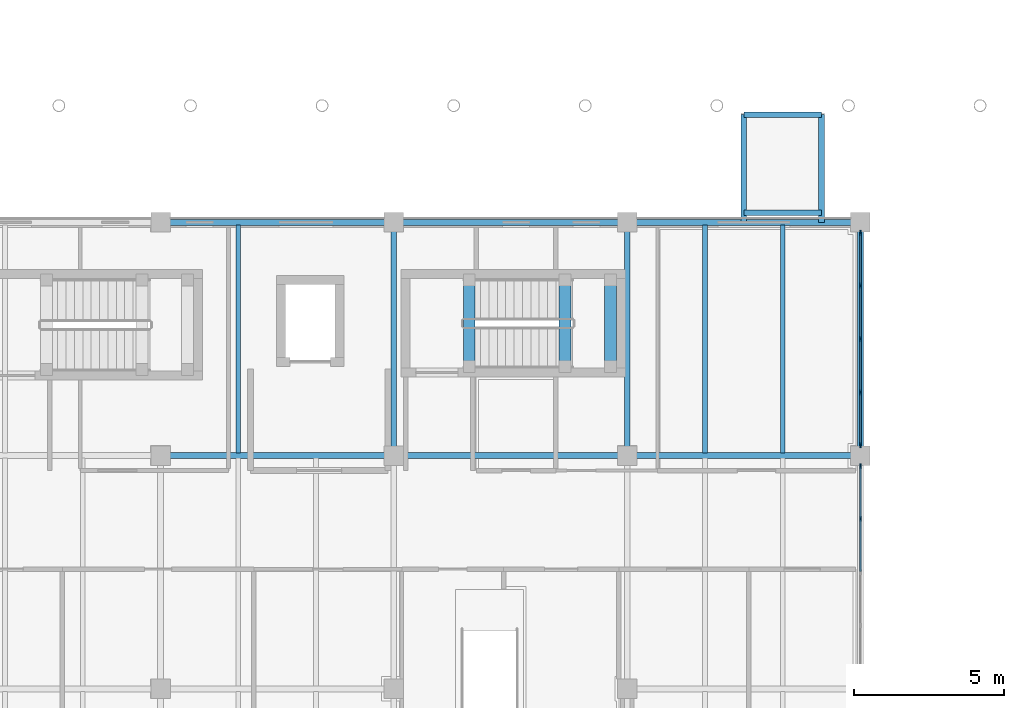
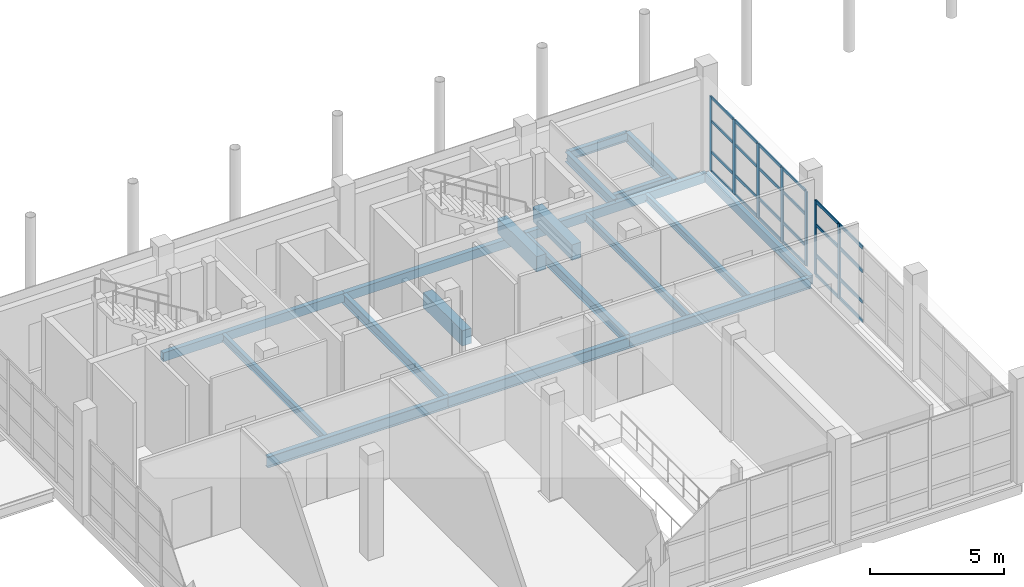
# One storey, part 41 of 138: 31 members, 19 beams, 2 elements without a shape of their own.
"""IFC4 building model written with IfcOpenShell, lengths in metres."""

from ifc_helpers import new_model, si_unit, direction, frame, origin, origin_2d, place, context, subcontext, project, spatial, rectangle, hollow_rectangle, i_section, extrude, material, layer, layer_set, material_profile, profile_set, type_object, element, aggregate, save


model = new_model("IFC4")

# Units and contexts
model_context = context("Model", 3, precision=1e-05, world=origin(), true_north=direction((0.0, 1.0)))
body_context = subcontext(model_context, "Body", "Model", "MODEL_VIEW")
ifc_project = project(units=[si_unit("LENGTHUNIT", "METRE"), si_unit("AREAUNIT", "SQUARE_METRE"), si_unit("VOLUMEUNIT", "CUBIC_METRE"), si_unit("PLANEANGLEUNIT", "RADIAN"), si_unit("MASSUNIT", "GRAM", prefix="KILO")], contexts=[model_context])

# Site, building, storey
site_placement = place(None, origin())
site = spatial("IfcSite", under=ifc_project, at=site_placement, CompositionType="ELEMENT")
building_placement = place(site_placement, origin())
building = spatial("IfcBuilding", under=site, at=building_placement, Name="Celorna Specialist Clinic", CompositionType="ELEMENT")
storey_placement = place(building_placement, frame((0.0, 0.0, 4.800048828125)))
storey = spatial("IfcBuildingStorey", under=building, at=storey_placement, Name="L01", CompositionType="ELEMENT", Elevation=4.800048828125)

# Beams
ifc_material_1 = material(Name="Steel S355", Category="steel")
ifc_material_profile_1 = material_profile(ifc_material_1, i_section(OverallWidth=0.199951171875, OverallDepth=0.5, WebThickness=0.01025390625, FlangeThickness=0.01611328125, at=origin_2d()), Name="IPE 500")
ifc_profile_set_1 = profile_set([ifc_material_profile_1], Name="Steel S355")
beam_type_1 = type_object("IfcBeamType", Name="BM-08", PredefinedType="BEAM", material=ifc_profile_set_1)
for number, where, z_axis, x_axis, name in (
    (1, (62.39990234375, 35.10009765625, -0.510009765625), (1.0, 0.0, 0.0), (0.0, 1.0, 0.0), "Primary girder BM-08 #2072"),
    (2, (70.199951171875, 35.10009765625, -0.510009765625), (1.0, 0.0, 0.0), (0.0, 1.0, 0.0), "Primary girder BM-08 #2073"),
    (3, (78.0, 35.10009765625, -0.510009765625), (1.0, 0.0, 0.0), (0.0, 1.0, 0.0), "Primary girder BM-08 #2074"),
):
    element("IfcBeam", number, at=place(storey_placement, frame(where, z_axis=z_axis, x_axis=x_axis)), inside=storey, type_object=beam_type_1, Name=name, PredefinedType="BEAM", context=body_context, shape_type="SweptSolid", body=[
        extrude(i_section(OverallWidth=0.199951171875, OverallDepth=0.5, WebThickness=0.01025390625, FlangeThickness=0.01611328125, at=origin_2d()), origin(), (0.0, 0.0, 1.0), 7.800048828125),
    ])
ifc_material_profile_2 = material_profile(ifc_material_1, i_section(OverallWidth=0.18994140625, OverallDepth=0.449951171875, WebThickness=0.009521484375, FlangeThickness=0.0146484375, at=origin_2d()), Name="IPE 450")
ifc_profile_set_2 = profile_set([ifc_material_profile_2], Name="Steel S355")
beam_type_2 = type_object("IfcBeamType", Name="BM-09", PredefinedType="BEAM", material=ifc_profile_set_2)
for number, where, z_axis, x_axis, name in (
    (4, (81.89990234375, 42.89990234375, -0.364990234375), (0.0, 1.0, 0.0), (-1.0, 0.0, 0.0), "Bridge BR-03 edge girder BM-09 #88"),
    (5, (84.5, 42.89990234375, -0.364990234375), (0.0, 1.0, 0.0), (-1.0, 0.0, 0.0), "Bridge BR-03 edge girder BM-09 #89"),
):
    element("IfcBeam", number, at=place(storey_placement, frame(where, z_axis=z_axis, x_axis=x_axis)), inside=storey, type_object=beam_type_2, Name=name, PredefinedType="BEAM", context=body_context, shape_type="SweptSolid", body=[
        extrude(i_section(OverallWidth=0.18994140625, OverallDepth=0.449951171875, WebThickness=0.009521484375, FlangeThickness=0.0146484375, at=origin_2d()), origin(), (0.0, 0.0, 1.0), 3.60009765625),
    ])
for number, where, z_axis, x_axis, name in (
    (6, (70.199951171875, 35.10009765625, -0.485107421875), (0.0, 1.0, 0.0), (-1.0, 0.0, 0.0), "Transverse girder BM-09 #2086"),
    (7, (78.0, 35.10009765625, -0.485107421875), (0.0, 1.0, 0.0), (-1.0, 0.0, 0.0), "Transverse girder BM-09 #2089"),
):
    element("IfcBeam", number, at=place(storey_placement, frame(where, z_axis=z_axis, x_axis=x_axis)), inside=storey, type_object=beam_type_2, Name=name, PredefinedType="BEAM", context=body_context, shape_type="SweptSolid", body=[
        extrude(i_section(OverallWidth=0.18994140625, OverallDepth=0.449951171875, WebThickness=0.009521484375, FlangeThickness=0.0146484375, at=origin_2d()), origin(), (0.0, 0.0, 1.0), 7.7998046875),
    ])
ifc_material_profile_3 = material_profile(ifc_material_1, i_section(OverallWidth=0.179931640625, OverallDepth=0.39990234375, WebThickness=0.008544921875, FlangeThickness=0.013427734375, at=origin_2d()), Name="IPE 400")
ifc_profile_set_3 = profile_set([ifc_material_profile_3], Name="Steel S355")
beam_type_3 = type_object("IfcBeamType", Name="BM-10", PredefinedType="BEAM", material=ifc_profile_set_3)
for number, where, z_axis, x_axis, name in (
    (8, (81.89990234375, 43.219970703125, -0.340087890625), (1.0, 0.0, 0.0), (0.0, 1.0, 0.0), "Bridge BR-03 transverse beam BM-10 #90"),
    (9, (81.89990234375, 46.5, -0.340087890625), (1.0, 0.0, 0.0), (0.0, 1.0, 0.0), "Bridge BR-03 roof end beam BM-10 #91"),
):
    element("IfcBeam", number, at=place(storey_placement, frame(where, z_axis=z_axis, x_axis=x_axis)), inside=storey, type_object=beam_type_3, Name=name, PredefinedType="BEAM", context=body_context, shape_type="SweptSolid", body=[
        extrude(i_section(OverallWidth=0.179931640625, OverallDepth=0.39990234375, WebThickness=0.008544921875, FlangeThickness=0.013427734375, at=origin_2d()), origin(), (0.0, 0.0, 1.0), 2.60009765625),
    ])
ifc_material_profile_4 = material_profile(ifc_material_1, i_section(OverallWidth=0.159912109375, OverallDepth=0.330078125, WebThickness=0.007568359375, FlangeThickness=0.011474609375, at=origin_2d()), Name="IPE 330")
ifc_profile_set_4 = profile_set([ifc_material_profile_4], Name="Steel S355")
beam_type_4 = type_object("IfcBeamType", Name="BM-12", PredefinedType="JOIST", material=ifc_profile_set_4)
for number, where, z_axis, x_axis, name in (
    (10, (65.0, 35.18798828125, -0.425048828125), (0.0, 1.0, 0.0), (-1.0, 0.0, 0.0), "Secondary floor joist BM-12 #2102"),
    (11, (80.60009765625, 35.18798828125, -0.425048828125), (0.0, 1.0, 0.0), (-1.0, 0.0, 0.0), "Secondary floor joist BM-12 #2107"),
    (12, (83.199951171875, 35.18798828125, -0.425048828125), (0.0, 1.0, 0.0), (-1.0, 0.0, 0.0), "Secondary floor joist BM-12 #2108"),
):
    element("IfcBeam", number, at=place(storey_placement, frame(where, z_axis=z_axis, x_axis=x_axis)), inside=storey, type_object=beam_type_4, Name=name, PredefinedType="JOIST", context=body_context, shape_type="SweptSolid", body=[
        extrude(i_section(OverallWidth=0.159912109375, OverallDepth=0.330078125, WebThickness=0.007568359375, FlangeThickness=0.011474609375, at=origin_2d()), origin(), (0.0, 0.0, 1.0), 7.6240234375),
    ])
ifc_material_profile_5 = material_profile(ifc_material_1, hollow_rectangle(XDim=0.199951171875, YDim=0.39990234375, WallThickness=0.011962890625, at=origin_2d()), Name="RHS 200x400x12")
ifc_profile_set_5 = profile_set([ifc_material_profile_5], Name="Steel S355")
beam_type_5 = type_object("IfcBeamType", Name="BM-15", PredefinedType="SPANDREL", material=ifc_profile_set_5)
for number, where, z_axis, x_axis, name in (
    (13, (62.39990234375, 42.89990234375, -0.4599609375), (1.0, 0.0, 0.0), (0.0, 1.0, 0.0), "Spandrel beam BM-15 #2076"),
    (14, (70.199951171875, 42.89990234375, -0.4599609375), (1.0, 0.0, 0.0), (0.0, 1.0, 0.0), "Spandrel beam BM-15 #2077"),
    (15, (78.0, 42.89990234375, -0.4599609375), (1.0, 0.0, 0.0), (0.0, 1.0, 0.0), "Spandrel beam BM-15 #2078"),
):
    element("IfcBeam", number, at=place(storey_placement, frame(where, z_axis=z_axis, x_axis=x_axis)), inside=storey, type_object=beam_type_5, Name=name, PredefinedType="SPANDREL", context=body_context, shape_type="SweptSolid", body=[
        extrude(hollow_rectangle(XDim=0.199951171875, YDim=0.39990234375, WallThickness=0.011962890625, at=origin_2d()), origin(), (0.0, 0.0, 1.0), 7.800048828125),
    ])
beam_placement = place(storey_placement, frame((85.800048828125, 35.10009765625, -0.4599609375), z_axis=(0.0, 1.0, 0.0), x_axis=(-1.0, 0.0, 0.0)))
element("IfcBeam", 16, at=beam_placement, inside=storey, type_object=beam_type_5, Name="Spandrel beam BM-15 #2092", PredefinedType="SPANDREL", context=body_context, shape_type="SweptSolid", body=[
    extrude(hollow_rectangle(XDim=0.199951171875, YDim=0.39990234375, WallThickness=0.011962890625, at=origin_2d()), origin(), (0.0, 0.0, 1.0), 7.7998046875),
])
ifc_material_2 = material(Name="Concrete C35/45", Category="concrete")
ifc_material_profile_6 = material_profile(ifc_material_2, rectangle(XDim=0.39990234375, YDim=0.699951171875, at=origin_2d()), Name="RC 400x700")
ifc_profile_set_6 = profile_set([ifc_material_profile_6], Name="Concrete C35/45")
beam_type_6 = type_object("IfcBeamType", Name="BM-19", PredefinedType="BEAM", material=ifc_profile_set_6)
for number, where, z_axis, x_axis, name in (
    (17, (72.719970703125, 38.070068359375, -0.275146484375), (0.0, 1.0, 0.0), (-1.0, 0.0, 0.0), "Stair ST-09 floor landing trimmer beam L01"),
    (18, (75.919921875, 38.070068359375, 1.974853515625), (0.0, 1.0, 0.0), (-1.0, 0.0, 0.0), "Stair ST-09 half-landing beam L01"),
    (19, (77.43994140625, 38.070068359375, 1.974853515625), (0.0, 1.0, 0.0), (-1.0, 0.0, 0.0), "Stair ST-09 half-landing beam L01"),
):
    element("IfcBeam", number, at=place(storey_placement, frame(where, z_axis=z_axis, x_axis=x_axis)), inside=storey, type_object=beam_type_6, Name=name, PredefinedType="BEAM", context=body_context, shape_type="SweptSolid", body=[
        extrude(rectangle(XDim=0.39990234375, YDim=0.699951171875, at=origin_2d()), origin(), (0.0, 0.0, 1.0), 2.89990234375),
    ])

# Curtain wall, members
ifc_material_3 = material(Name="Thermally broken aluminium and solar-control glass curtain wall", Category="aluminium")
ifc_layer_1 = layer(ifc_material_3, 0.159912109375, Name="Thermally broken aluminium and solar-control glass curtain wall")
ifc_layer_set_1 = layer_set([ifc_layer_1], Name="Thermally broken aluminium and solar-control glass curtain wall")
curtain_wall_type_1 = type_object("IfcCurtainWallType", Name="CW-109", PredefinedType="NOTDEFINED", material=ifc_layer_set_1)
curtain_wall_1_placement = place(storey_placement, origin())
curtain_wall_1 = element("IfcCurtainWall", 20, at=curtain_wall_1_placement, inside=storey, type_object=curtain_wall_type_1, Name="Curtain wall CW-109 #194", PredefinedType="NOTDEFINED")
ifc_material_4 = material(Name="Anodized aluminium mullion", Category="aluminium")
ifc_material_profile_7 = material_profile(ifc_material_4, rectangle(XDim=0.050048828125, YDim=0.159912109375, at=origin_2d()), Name="ALU MULLION 50x160")
ifc_profile_set_7 = profile_set([ifc_material_profile_7], Name="Anodized aluminium mullion")
member_type_1 = type_object("IfcMemberType", Name="ML-01", PredefinedType="MULLION", material=ifc_profile_set_7)
member_1_placement = place(storey_placement, frame((85.800048828125, 34.74609375, 0.0), z_axis=(0.0, 0.0, 1.0), x_axis=(1.0, 0.0, 0.0)))
member_1 = element("IfcMember", 21, at=member_1_placement, type_object=member_type_1, Name="CW-109 mullion 1", PredefinedType="MULLION", context=body_context, shape_type="SweptSolid", body=[
    extrude(rectangle(XDim=0.050048828125, YDim=0.159912109375, at=origin_2d()), origin(), (0.0, 0.0, 1.0), 3.389892578125),
])
member_2_placement = place(storey_placement, frame((85.800048828125, 32.985595703125, 0.0), z_axis=(0.0, 0.0, 1.0), x_axis=(1.0, 0.0, 0.0)))
member_2 = element("IfcMember", 22, at=member_2_placement, type_object=member_type_1, Name="CW-109 mullion 2", PredefinedType="MULLION", context=body_context, shape_type="SweptSolid", body=[
    extrude(rectangle(XDim=0.050048828125, YDim=0.159912109375, at=origin_2d()), origin(), (0.0, 0.0, 1.0), 3.389892578125),
])

ifc_layer_2 = layer(ifc_material_3, 0.159912109375, Name="Thermally broken aluminium and solar-control glass curtain wall")
ifc_layer_set_2 = layer_set([ifc_layer_2], Name="Thermally broken aluminium and solar-control glass curtain wall")
curtain_wall_type_2 = type_object("IfcCurtainWallType", Name="CW-110", PredefinedType="NOTDEFINED", material=ifc_layer_set_2)
curtain_wall_2_placement = place(storey_placement, origin())
curtain_wall_2 = element("IfcCurtainWall", 23, at=curtain_wall_2_placement, inside=storey, type_object=curtain_wall_type_2, Name="Curtain wall CW-110 #195", PredefinedType="NOTDEFINED")
ifc_material_profile_8 = material_profile(ifc_material_4, rectangle(XDim=0.050048828125, YDim=0.179931640625, at=origin_2d()), Name="ALU MULLION 50x180")
ifc_profile_set_8 = profile_set([ifc_material_profile_8], Name="Anodized aluminium mullion")
member_type_2 = type_object("IfcMemberType", Name="ML-02", PredefinedType="MULLION", material=ifc_profile_set_8)
member_3_placement = place(storey_placement, frame((85.800048828125, 42.5458984375, 0.0), z_axis=(0.0, 0.0, 1.0), x_axis=(1.0, 0.0, 0.0)))
member_3 = element("IfcMember", 24, at=member_3_placement, type_object=member_type_2, Name="CW-110 mullion 1", PredefinedType="MULLION", context=body_context, shape_type="SweptSolid", body=[
    extrude(rectangle(XDim=0.050048828125, YDim=0.179931640625, at=origin_2d()), origin(), (0.0, 0.0, 1.0), 3.389892578125),
])
member_4_placement = place(storey_placement, frame((85.800048828125, 40.785400390625, 0.0), z_axis=(0.0, 0.0, 1.0), x_axis=(1.0, 0.0, 0.0)))
member_4 = element("IfcMember", 25, at=member_4_placement, type_object=member_type_2, Name="CW-110 mullion 2", PredefinedType="MULLION", context=body_context, shape_type="SweptSolid", body=[
    extrude(rectangle(XDim=0.050048828125, YDim=0.179931640625, at=origin_2d()), origin(), (0.0, 0.0, 1.0), 3.389892578125),
])
member_5_placement = place(storey_placement, frame((85.800048828125, 39.0, 0.0), z_axis=(0.0, 0.0, 1.0), x_axis=(1.0, 0.0, 0.0)))
member_5 = element("IfcMember", 26, at=member_5_placement, type_object=member_type_2, Name="CW-110 mullion 3", PredefinedType="MULLION", context=body_context, shape_type="SweptSolid", body=[
    extrude(rectangle(XDim=0.050048828125, YDim=0.179931640625, at=origin_2d()), origin(), (0.0, 0.0, 1.0), 3.389892578125),
])
member_6_placement = place(storey_placement, frame((85.800048828125, 37.214599609375, 0.0), z_axis=(0.0, 0.0, 1.0), x_axis=(1.0, 0.0, 0.0)))
member_6 = element("IfcMember", 27, at=member_6_placement, type_object=member_type_2, Name="CW-110 mullion 4", PredefinedType="MULLION", context=body_context, shape_type="SweptSolid", body=[
    extrude(rectangle(XDim=0.050048828125, YDim=0.179931640625, at=origin_2d()), origin(), (0.0, 0.0, 1.0), 3.389892578125),
])
member_7_placement = place(storey_placement, frame((85.800048828125, 35.4541015625, 0.0), z_axis=(0.0, 0.0, 1.0), x_axis=(1.0, 0.0, 0.0)))
member_7 = element("IfcMember", 28, at=member_7_placement, type_object=member_type_2, Name="CW-110 mullion 5", PredefinedType="MULLION", context=body_context, shape_type="SweptSolid", body=[
    extrude(rectangle(XDim=0.050048828125, YDim=0.179931640625, at=origin_2d()), origin(), (0.0, 0.0, 1.0), 3.389892578125),
])
ifc_material_5 = material(Name="Anodized aluminium transom", Category="aluminium")
ifc_material_profile_9 = material_profile(ifc_material_5, rectangle(XDim=0.050048828125, YDim=0.1298828125, at=origin_2d()), Name="ALU TRANSOM 50x130")
ifc_profile_set_9 = profile_set([ifc_material_profile_9], Name="Anodized aluminium transom")
member_type_3 = type_object("IfcMemberType", Name="TR-01", PredefinedType="USERDEFINED", material=ifc_profile_set_9)
member_8_placement = place(storey_placement, frame((85.800048828125, 42.52099609375, 0.02490234375), z_axis=(0.0, -1.0, 0.0), x_axis=(1.0, 0.0, 0.0)))
member_8 = element("IfcMember", 29, at=member_8_placement, type_object=member_type_3, Name="CW-110 transom 1.1", ObjectType="TRANSOM", PredefinedType="USERDEFINED", context=body_context, shape_type="SweptSolid", body=[
    extrude(rectangle(XDim=0.050048828125, YDim=0.1298828125, at=origin_2d()), origin(), (0.0, 0.0, 1.0), 1.71044921875),
])
member_9_placement = place(storey_placement, frame((85.800048828125, 42.52099609375, 0.89990234375), z_axis=(0.0, -1.0, 0.0), x_axis=(1.0, 0.0, 0.0)))
member_9 = element("IfcMember", 30, at=member_9_placement, type_object=member_type_3, Name="CW-110 transom 1.2", ObjectType="TRANSOM", PredefinedType="USERDEFINED", context=body_context, shape_type="SweptSolid", body=[
    extrude(rectangle(XDim=0.050048828125, YDim=0.1298828125, at=origin_2d()), origin(), (0.0, 0.0, 1.0), 1.71044921875),
])
member_10_placement = place(storey_placement, frame((85.800048828125, 42.52099609375, 2.300048828125), z_axis=(0.0, -1.0, 0.0), x_axis=(1.0, 0.0, 0.0)))
member_10 = element("IfcMember", 31, at=member_10_placement, type_object=member_type_3, Name="CW-110 transom 1.3", ObjectType="TRANSOM", PredefinedType="USERDEFINED", context=body_context, shape_type="SweptSolid", body=[
    extrude(rectangle(XDim=0.050048828125, YDim=0.1298828125, at=origin_2d()), origin(), (0.0, 0.0, 1.0), 1.71044921875),
])
member_11_placement = place(storey_placement, frame((85.800048828125, 42.52099609375, 3.364990234375), z_axis=(0.0, -1.0, 0.0), x_axis=(1.0, 0.0, 0.0)))
member_11 = element("IfcMember", 32, at=member_11_placement, type_object=member_type_3, Name="CW-110 transom 1.4", ObjectType="TRANSOM", PredefinedType="USERDEFINED", context=body_context, shape_type="SweptSolid", body=[
    extrude(rectangle(XDim=0.050048828125, YDim=0.1298828125, at=origin_2d()), origin(), (0.0, 0.0, 1.0), 1.71044921875),
])
member_12_placement = place(storey_placement, frame((85.800048828125, 40.760498046875, 0.02490234375), z_axis=(0.0, -1.0, 0.0), x_axis=(1.0, 0.0, 0.0)))
member_12 = element("IfcMember", 33, at=member_12_placement, type_object=member_type_3, Name="CW-110 transom 2.1", ObjectType="TRANSOM", PredefinedType="USERDEFINED", context=body_context, shape_type="SweptSolid", body=[
    extrude(rectangle(XDim=0.050048828125, YDim=0.1298828125, at=origin_2d()), origin(), (0.0, 0.0, 1.0), 1.735595703125),
])
member_13_placement = place(storey_placement, frame((85.800048828125, 40.760498046875, 0.89990234375), z_axis=(0.0, -1.0, 0.0), x_axis=(1.0, 0.0, 0.0)))
member_13 = element("IfcMember", 34, at=member_13_placement, type_object=member_type_3, Name="CW-110 transom 2.2", ObjectType="TRANSOM", PredefinedType="USERDEFINED", context=body_context, shape_type="SweptSolid", body=[
    extrude(rectangle(XDim=0.050048828125, YDim=0.1298828125, at=origin_2d()), origin(), (0.0, 0.0, 1.0), 1.735595703125),
])
member_14_placement = place(storey_placement, frame((85.800048828125, 40.760498046875, 2.300048828125), z_axis=(0.0, -1.0, 0.0), x_axis=(1.0, 0.0, 0.0)))
member_14 = element("IfcMember", 35, at=member_14_placement, type_object=member_type_3, Name="CW-110 transom 2.3", ObjectType="TRANSOM", PredefinedType="USERDEFINED", context=body_context, shape_type="SweptSolid", body=[
    extrude(rectangle(XDim=0.050048828125, YDim=0.1298828125, at=origin_2d()), origin(), (0.0, 0.0, 1.0), 1.735595703125),
])
member_15_placement = place(storey_placement, frame((85.800048828125, 40.760498046875, 3.364990234375), z_axis=(0.0, -1.0, 0.0), x_axis=(1.0, 0.0, 0.0)))
member_15 = element("IfcMember", 36, at=member_15_placement, type_object=member_type_3, Name="CW-110 transom 2.4", ObjectType="TRANSOM", PredefinedType="USERDEFINED", context=body_context, shape_type="SweptSolid", body=[
    extrude(rectangle(XDim=0.050048828125, YDim=0.1298828125, at=origin_2d()), origin(), (0.0, 0.0, 1.0), 1.735595703125),
])
member_16_placement = place(storey_placement, frame((85.800048828125, 38.97509765625, 0.02490234375), z_axis=(0.0, -1.0, 0.0), x_axis=(1.0, 0.0, 0.0)))
member_16 = element("IfcMember", 37, at=member_16_placement, type_object=member_type_3, Name="CW-110 transom 3.1", ObjectType="TRANSOM", PredefinedType="USERDEFINED", context=body_context, shape_type="SweptSolid", body=[
    extrude(rectangle(XDim=0.050048828125, YDim=0.1298828125, at=origin_2d()), origin(), (0.0, 0.0, 1.0), 1.735595703125),
])
member_17_placement = place(storey_placement, frame((85.800048828125, 38.97509765625, 0.89990234375), z_axis=(0.0, -1.0, 0.0), x_axis=(1.0, 0.0, 0.0)))
member_17 = element("IfcMember", 38, at=member_17_placement, type_object=member_type_3, Name="CW-110 transom 3.2", ObjectType="TRANSOM", PredefinedType="USERDEFINED", context=body_context, shape_type="SweptSolid", body=[
    extrude(rectangle(XDim=0.050048828125, YDim=0.1298828125, at=origin_2d()), origin(), (0.0, 0.0, 1.0), 1.735595703125),
])
member_18_placement = place(storey_placement, frame((85.800048828125, 38.97509765625, 2.300048828125), z_axis=(0.0, -1.0, 0.0), x_axis=(1.0, 0.0, 0.0)))
member_18 = element("IfcMember", 39, at=member_18_placement, type_object=member_type_3, Name="CW-110 transom 3.3", ObjectType="TRANSOM", PredefinedType="USERDEFINED", context=body_context, shape_type="SweptSolid", body=[
    extrude(rectangle(XDim=0.050048828125, YDim=0.1298828125, at=origin_2d()), origin(), (0.0, 0.0, 1.0), 1.735595703125),
])
member_19_placement = place(storey_placement, frame((85.800048828125, 38.97509765625, 3.364990234375), z_axis=(0.0, -1.0, 0.0), x_axis=(1.0, 0.0, 0.0)))
member_19 = element("IfcMember", 40, at=member_19_placement, type_object=member_type_3, Name="CW-110 transom 3.4", ObjectType="TRANSOM", PredefinedType="USERDEFINED", context=body_context, shape_type="SweptSolid", body=[
    extrude(rectangle(XDim=0.050048828125, YDim=0.1298828125, at=origin_2d()), origin(), (0.0, 0.0, 1.0), 1.735595703125),
])
member_20_placement = place(storey_placement, frame((85.800048828125, 37.189453125, 0.02490234375), z_axis=(0.0, -1.0, 0.0), x_axis=(1.0, 0.0, 0.0)))
member_20 = element("IfcMember", 41, at=member_20_placement, type_object=member_type_3, Name="CW-110 transom 4.1", ObjectType="TRANSOM", PredefinedType="USERDEFINED", context=body_context, shape_type="SweptSolid", body=[
    extrude(rectangle(XDim=0.050048828125, YDim=0.1298828125, at=origin_2d()), origin(), (0.0, 0.0, 1.0), 1.71044921875),
])
member_21_placement = place(storey_placement, frame((85.800048828125, 37.189453125, 0.89990234375), z_axis=(0.0, -1.0, 0.0), x_axis=(1.0, 0.0, 0.0)))
member_21 = element("IfcMember", 42, at=member_21_placement, type_object=member_type_3, Name="CW-110 transom 4.2", ObjectType="TRANSOM", PredefinedType="USERDEFINED", context=body_context, shape_type="SweptSolid", body=[
    extrude(rectangle(XDim=0.050048828125, YDim=0.1298828125, at=origin_2d()), origin(), (0.0, 0.0, 1.0), 1.71044921875),
])
member_22_placement = place(storey_placement, frame((85.800048828125, 37.189453125, 2.300048828125), z_axis=(0.0, -1.0, 0.0), x_axis=(1.0, 0.0, 0.0)))
member_22 = element("IfcMember", 43, at=member_22_placement, type_object=member_type_3, Name="CW-110 transom 4.3", ObjectType="TRANSOM", PredefinedType="USERDEFINED", context=body_context, shape_type="SweptSolid", body=[
    extrude(rectangle(XDim=0.050048828125, YDim=0.1298828125, at=origin_2d()), origin(), (0.0, 0.0, 1.0), 1.71044921875),
])
member_23_placement = place(storey_placement, frame((85.800048828125, 37.189453125, 3.364990234375), z_axis=(0.0, -1.0, 0.0), x_axis=(1.0, 0.0, 0.0)))
member_23 = element("IfcMember", 44, at=member_23_placement, type_object=member_type_3, Name="CW-110 transom 4.4", ObjectType="TRANSOM", PredefinedType="USERDEFINED", context=body_context, shape_type="SweptSolid", body=[
    extrude(rectangle(XDim=0.050048828125, YDim=0.1298828125, at=origin_2d()), origin(), (0.0, 0.0, 1.0), 1.71044921875),
])
aggregate(curtain_wall_2, [member_3, member_4, member_5, member_6, member_7, member_8, member_9, member_10, member_11, member_12, member_13, member_14, member_15, member_16, member_17, member_18, member_19, member_20, member_21, member_22, member_23])

# Member
ifc_material_profile_10 = material_profile(ifc_material_5, rectangle(XDim=0.050048828125, YDim=0.14990234375, at=origin_2d()), Name="ALU TRANSOM 50x150")
ifc_profile_set_10 = profile_set([ifc_material_profile_10], Name="Anodized aluminium transom")
member_type_4 = type_object("IfcMemberType", Name="TR-02", PredefinedType="USERDEFINED", material=ifc_profile_set_10)
member_24_placement = place(storey_placement, frame((85.800048828125, 34.720947265625, 0.02490234375), z_axis=(0.0, -1.0, 0.0), x_axis=(1.0, 0.0, 0.0)))
member_24 = element("IfcMember", 45, at=member_24_placement, type_object=member_type_4, Name="CW-109 transom 1.1", ObjectType="TRANSOM", PredefinedType="USERDEFINED", context=body_context, shape_type="SweptSolid", body=[
    extrude(rectangle(XDim=0.050048828125, YDim=0.14990234375, at=origin_2d()), origin(), (0.0, 0.0, 1.0), 1.71044921875),
])

member_25_placement = place(storey_placement, frame((85.800048828125, 34.720947265625, 0.89990234375), z_axis=(0.0, -1.0, 0.0), x_axis=(1.0, 0.0, 0.0)))
member_25 = element("IfcMember", 46, at=member_25_placement, type_object=member_type_4, Name="CW-109 transom 1.2", ObjectType="TRANSOM", PredefinedType="USERDEFINED", context=body_context, shape_type="SweptSolid", body=[
    extrude(rectangle(XDim=0.050048828125, YDim=0.14990234375, at=origin_2d()), origin(), (0.0, 0.0, 1.0), 1.71044921875),
])

member_26_placement = place(storey_placement, frame((85.800048828125, 34.720947265625, 2.300048828125), z_axis=(0.0, -1.0, 0.0), x_axis=(1.0, 0.0, 0.0)))
member_26 = element("IfcMember", 47, at=member_26_placement, type_object=member_type_4, Name="CW-109 transom 1.3", ObjectType="TRANSOM", PredefinedType="USERDEFINED", context=body_context, shape_type="SweptSolid", body=[
    extrude(rectangle(XDim=0.050048828125, YDim=0.14990234375, at=origin_2d()), origin(), (0.0, 0.0, 1.0), 1.71044921875),
])

member_27_placement = place(storey_placement, frame((85.800048828125, 34.720947265625, 3.364990234375), z_axis=(0.0, -1.0, 0.0), x_axis=(1.0, 0.0, 0.0)))
member_27 = element("IfcMember", 48, at=member_27_placement, type_object=member_type_4, Name="CW-109 transom 1.4", ObjectType="TRANSOM", PredefinedType="USERDEFINED", context=body_context, shape_type="SweptSolid", body=[
    extrude(rectangle(XDim=0.050048828125, YDim=0.14990234375, at=origin_2d()), origin(), (0.0, 0.0, 1.0), 1.71044921875),
])

member_28_placement = place(storey_placement, frame((85.800048828125, 32.96044921875, 0.02490234375), z_axis=(0.0, -1.0, 0.0), x_axis=(1.0, 0.0, 0.0)))
member_28 = element("IfcMember", 49, at=member_28_placement, type_object=member_type_4, Name="CW-109 transom 2.1", ObjectType="TRANSOM", PredefinedType="USERDEFINED", context=body_context, shape_type="SweptSolid", body=[
    extrude(rectangle(XDim=0.050048828125, YDim=0.14990234375, at=origin_2d()), origin(), (0.0, 0.0, 1.0), 1.7353515625),
])

member_29_placement = place(storey_placement, frame((85.800048828125, 32.96044921875, 0.89990234375), z_axis=(0.0, -1.0, 0.0), x_axis=(1.0, 0.0, 0.0)))
member_29 = element("IfcMember", 50, at=member_29_placement, type_object=member_type_4, Name="CW-109 transom 2.2", ObjectType="TRANSOM", PredefinedType="USERDEFINED", context=body_context, shape_type="SweptSolid", body=[
    extrude(rectangle(XDim=0.050048828125, YDim=0.14990234375, at=origin_2d()), origin(), (0.0, 0.0, 1.0), 1.7353515625),
])

member_30_placement = place(storey_placement, frame((85.800048828125, 32.96044921875, 2.300048828125), z_axis=(0.0, -1.0, 0.0), x_axis=(1.0, 0.0, 0.0)))
member_30 = element("IfcMember", 51, at=member_30_placement, type_object=member_type_4, Name="CW-109 transom 2.3", ObjectType="TRANSOM", PredefinedType="USERDEFINED", context=body_context, shape_type="SweptSolid", body=[
    extrude(rectangle(XDim=0.050048828125, YDim=0.14990234375, at=origin_2d()), origin(), (0.0, 0.0, 1.0), 1.7353515625),
])

member_31_placement = place(storey_placement, frame((85.800048828125, 32.96044921875, 3.364990234375), z_axis=(0.0, -1.0, 0.0), x_axis=(1.0, 0.0, 0.0)))
member_31 = element("IfcMember", 52, at=member_31_placement, type_object=member_type_4, Name="CW-109 transom 2.4", ObjectType="TRANSOM", PredefinedType="USERDEFINED", context=body_context, shape_type="SweptSolid", body=[
    extrude(rectangle(XDim=0.050048828125, YDim=0.14990234375, at=origin_2d()), origin(), (0.0, 0.0, 1.0), 1.7353515625),
])

aggregate(curtain_wall_1, [member_1, member_2, member_24, member_25, member_26, member_27, member_28, member_29, member_30, member_31])

save(model, "model.ifc")
